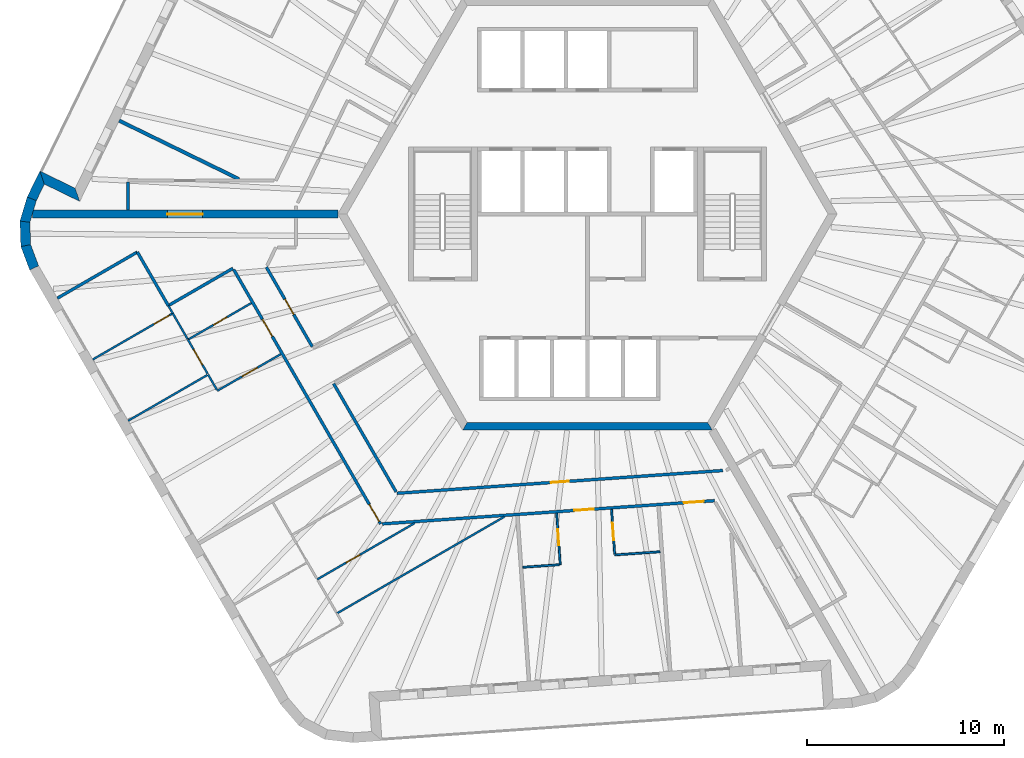
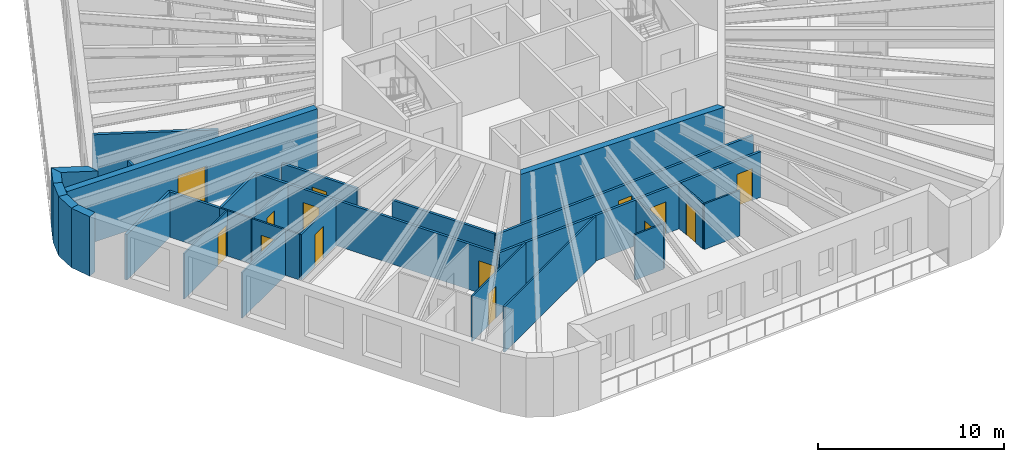
# One storey, part 4 of 12: 31 walls, 14 doors, 14 openings.
"""IFC4 building model written with IfcOpenShell, lengths in metres."""

from ifc_helpers import new_model, si_unit, direction, frame, frame_2d, origin, place, context, subcontext, project, spatial, polyline, rectangle, outline, extrude, material, layer, layer_set, type_object, element, fill, save


model = new_model("IFC4")

# Units and contexts
model_context = context("Model", 3, precision=1e-05, world=origin(), true_north=direction((0.0, 1.0)))
body_context = subcontext(model_context, "Body", "Model", "MODEL_VIEW")
ifc_project = project(units=[si_unit("LENGTHUNIT", "METRE"), si_unit("AREAUNIT", "SQUARE_METRE"), si_unit("VOLUMEUNIT", "CUBIC_METRE"), si_unit("PLANEANGLEUNIT", "RADIAN"), si_unit("MASSUNIT", "GRAM", prefix="KILO")], contexts=[model_context])

# Site, building, storey
site_placement = place(None, origin())
site = spatial("IfcSite", under=ifc_project, at=site_placement, CompositionType="ELEMENT")
building_placement = place(site_placement, origin())
building = spatial("IfcBuilding", under=site, at=building_placement, Name="Tarnside Tower", CompositionType="ELEMENT")
storey_placement = place(building_placement, frame((0.0, 0.0, 275.699951171875)))
storey = spatial("IfcBuildingStorey", under=building, at=storey_placement, Name="L66", CompositionType="ELEMENT", Elevation=275.699951171875)

# Wall, opening, door
ifc_material_1 = material(Name="Gypsum board partition on steel studs", Category="steel")
ifc_layer_1 = layer(ifc_material_1, 0.10009765625)
ifc_layer_set_1 = layer_set([ifc_layer_1], Name="Bathroom wall 100")
wall_type_1 = type_object("IfcWallType", Name="Bathroom wall 100", PredefinedType="PARTITIONING", material=ifc_layer_set_1)
wall_1_placement = place(storey_placement, frame((-17.1005859375, -4.53076171875, 0.0), z_axis=(0.0, 0.0, 1.0), x_axis=(-0.866028424924, -0.499994767197, 0.0)))
wall_1 = element("IfcWall", 1, at=wall_1_placement, inside=storey, type_object=wall_type_1, Name="Bathroom wall 21120", PredefinedType="PARTITIONING", context=body_context, shape_type="SweptSolid", body=[
    extrude(rectangle(XDim=3.72509765625, YDim=0.10009765625, at=frame_2d((1.862548828125, 0.0))), origin(), (0.0, 0.0, 1.0), 2.98779296875),
])
opening_1_placement = place(wall_1_placement, frame((1.425048828125, 0.0, 0.0)))
opening_1 = element("IfcOpeningElement", 2, at=opening_1_placement, cuts=wall_1, Name="Opening D-B1", PredefinedType="OPENING", context=body_context, shape_type="SweptSolid", body=[
    extrude(rectangle(XDim=0.800048828125, YDim=2.10009765625, at=frame_2d((0.39990234375, 1.050048828125))), frame((0.0, 0.06005859375, 0.0), z_axis=(0.0, -1.0, 0.0), x_axis=(1.0, 0.0, 0.0)), (0.0, 0.0, 1.0), 0.1201171875),
])
ifc_material_2 = material(Name="Timber door leaf", Category="wood")
door_type_1 = type_object("IfcDoorType", Name="Bathroom door 800", OperationType="NOTDEFINED", PredefinedType="DOOR", material=ifc_material_2)
door_1_placement = place(opening_1_placement, origin())
door_1 = element("IfcDoor", 3, at=door_1_placement, inside=storey, type_object=door_type_1, Name="Bathroom door 21027", OperationType="SINGLE_SWING_RIGHT", OverallHeight=2.10009765625, OverallWidth=0.800048828125, PredefinedType="DOOR", context=body_context, shape_type="SweptSolid", body=[
    extrude(rectangle(XDim=0.800048828125, YDim=2.10009765625, at=frame_2d((0.39990234375, 1.050048828125))), frame((0.0, 0.02490234375, 0.0), z_axis=(0.0, -1.0, 0.0), x_axis=(1.0, 0.0, 0.0)), (0.0, 0.0, 1.0), 0.050048828125),
])
fill(opening_1, door_1)

# Walls
wall_2_placement = place(storey_placement, frame((-21.32763671875, -4.659423828125, 0.0), z_axis=(0.0, 0.0, 1.0), x_axis=(0.500250683452, -0.865880623242, 0.0)))
element("IfcWall", 4, at=wall_2_placement, inside=storey, type_object=wall_type_1, Name="Bathroom wall 21122", PredefinedType="PARTITIONING", context=body_context, shape_type="SweptSolid", body=[
    extrude(rectangle(XDim=0.453369140625, YDim=0.10009765625, at=frame_2d((0.2265625, 0.0))), origin(), (0.0, 0.0, 1.0), 2.98779296875),
])
wall_3_placement = place(storey_placement, frame((-21.100830078125, -5.052001953125, 0.0), z_axis=(0.0, 0.0, 1.0), x_axis=(0.49997126526, -0.866041993159, 0.0)))
element("IfcWall", 5, at=wall_3_placement, inside=storey, type_object=wall_type_1, Name="Bathroom wall 21123", PredefinedType="PARTITIONING", context=body_context, shape_type="SweptSolid", body=[
    extrude(rectangle(XDim=1.50048828125, YDim=0.10009765625, at=frame_2d((0.750244140625, 0.0))), origin(), (0.0, 0.0, 1.0), 2.98779296875),
])
wall_4_placement = place(storey_placement, frame((-4.238037109375, -15.408203125, 0.0), z_axis=(0.0, 0.0, 1.0), x_axis=(-0.86602504101, -0.500000628343, 0.0)))
element("IfcWall", 6, at=wall_4_placement, inside=storey, type_object=wall_type_1, Name="Bathroom wall 21127", PredefinedType="PARTITIONING", context=body_context, shape_type="SweptSolid", body=[
    extrude(rectangle(XDim=9.82568359375, YDim=0.10009765625, at=frame_2d((4.912841796875, 0.0))), origin(), (0.0, 0.0, 1.0), 2.98779296875),
])

# Wall, opening, door
wall_5_placement = place(storey_placement, frame((-13.747314453125, -18.5888671875, 0.0), z_axis=(0.0, 0.0, 1.0), x_axis=(0.866022251081, 0.500005460603, 0.0)))
wall_5 = element("IfcWall", 7, at=wall_5_placement, inside=storey, type_object=wall_type_1, Name="Bathroom wall 21133", PredefinedType="PARTITIONING", context=body_context, shape_type="SweptSolid", body=[
    extrude(rectangle(XDim=5.72509765625, YDim=0.10009765625, at=frame_2d((2.862548828125, 0.0))), origin(), (0.0, 0.0, 1.0), 2.98779296875),
])
opening_2_placement = place(wall_5_placement, frame((1.699951171875, 0.0, 0.0)))
opening_2 = element("IfcOpeningElement", 8, at=opening_2_placement, cuts=wall_5, Name="Opening D-B1", PredefinedType="OPENING", context=body_context, shape_type="SweptSolid", body=[
    extrude(rectangle(XDim=0.800048828125, YDim=2.10009765625, at=frame_2d((0.39990234375, 1.050048828125))), frame((0.0, 0.06005859375, 0.0), z_axis=(0.0, -1.0, 0.0), x_axis=(1.0, 0.0, 0.0)), (0.0, 0.0, 1.0), 0.1201171875),
])
door_2_placement = place(opening_2_placement, origin())
door_2 = element("IfcDoor", 9, at=door_2_placement, inside=storey, type_object=door_type_1, Name="Bathroom door 21041", OperationType="SINGLE_SWING_RIGHT", OverallHeight=2.10009765625, OverallWidth=0.800048828125, PredefinedType="DOOR", context=body_context, shape_type="SweptSolid", body=[
    extrude(rectangle(XDim=0.800048828125, YDim=2.10009765625, at=frame_2d((0.39990234375, 1.050048828125))), frame((0.0, 0.02490234375, 0.0), z_axis=(0.0, -1.0, 0.0), x_axis=(1.0, 0.0, 0.0)), (0.0, 0.0, 1.0), 0.050048828125),
])
fill(opening_2, door_2)

wall_6_placement = place(storey_placement, frame((-1.566650390625, -15.221435546875, 0.0), z_axis=(0.0, 0.0, 1.0), x_axis=(0.069753235829, -0.997564276672, 0.0)))
wall_6 = element("IfcWall", 10, at=wall_6_placement, inside=storey, type_object=wall_type_1, Name="Bathroom wall 21137", PredefinedType="PARTITIONING", context=body_context, shape_type="SweptSolid", body=[
    extrude(rectangle(XDim=2.625, YDim=0.10009765625, at=frame_2d((1.3125, 0.0))), origin(), (0.0, 0.0, 1.0), 2.98779296875),
])
opening_3_placement = place(wall_6_placement, frame((0.824951171875, 0.0, 0.0)))
opening_3 = element("IfcOpeningElement", 11, at=opening_3_placement, cuts=wall_6, Name="Opening D-B1", PredefinedType="OPENING", context=body_context, shape_type="SweptSolid", body=[
    extrude(rectangle(XDim=0.800048828125, YDim=2.10009765625, at=frame_2d((0.39990234375, 1.050048828125))), frame((0.0, 0.06005859375, 0.0), z_axis=(0.0, -1.0, 0.0), x_axis=(1.0, 0.0, 0.0)), (0.0, 0.0, 1.0), 0.1201171875),
])
door_3_placement = place(opening_3_placement, origin())
door_3 = element("IfcDoor", 12, at=door_3_placement, inside=storey, type_object=door_type_1, Name="Bathroom door 21043", OperationType="SINGLE_SWING_RIGHT", OverallHeight=2.10009765625, OverallWidth=0.800048828125, PredefinedType="DOOR", context=body_context, shape_type="SweptSolid", body=[
    extrude(rectangle(XDim=0.800048828125, YDim=2.10009765625, at=frame_2d((0.39990234375, 1.050048828125))), frame((0.0, 0.02490234375, 0.0), z_axis=(0.0, -1.0, 0.0), x_axis=(1.0, 0.0, 0.0)), (0.0, 0.0, 1.0), 0.050048828125),
])
fill(opening_3, door_3)

# Walls
wall_7_placement = place(storey_placement, frame((-1.43359375, -17.843505859375, 0.0), z_axis=(0.0, 0.0, 1.0), x_axis=(-0.997568101915, -0.069698508173, 0.0)))
element("IfcWall", 13, at=wall_7_placement, inside=storey, type_object=wall_type_1, Name="Bathroom wall 21138", PredefinedType="PARTITIONING", context=body_context, shape_type="SweptSolid", body=[
    extrude(rectangle(XDim=1.860107421875, YDim=0.10009765625, at=frame_2d((0.93017578125, 0.0))), origin(), (0.0, 0.0, 1.0), 2.98779296875),
])
ifc_material_3 = material(Name="Concrete C60/75", Category="concrete")
ifc_layer_2 = layer(ifc_material_3, 0.39990234375)
ifc_layer_set_2 = layer_set([ifc_layer_2], Name="Core wall Z3 400 C60/75")
wall_type_2 = type_object("IfcWallType", Name="Core wall Z3 400 C60/75", PredefinedType="SHEAR", material=ifc_layer_set_2)
wall_8_placement = place(storey_placement, frame((-6.2353515625, -10.800048828125, -0.14990234375), z_axis=(0.0, 0.0, 1.0), x_axis=(1.0, 0.0, 0.0)))
element("IfcWall", 14, at=wall_8_placement, inside=storey, type_object=wall_type_2, Name="L66 core wall face 4", PredefinedType="SHEAR", context=body_context, shape_type="SweptSolid", body=[
    extrude(outline(polyline([(-0.115478515625, -0.199951171875), (12.586181640625, -0.199951171875), (12.355224609375, 0.199951171875), (0.115478515625, 0.199951171875), (-0.115478515625, -0.199951171875)])), origin(), (0.0, 0.0, 1.0), 3.89990234375),
])

# Wall, opening, door
wall_9_placement = place(storey_placement, frame((-12.70166015625, 0.0, -0.14990234375), z_axis=(0.0, 0.0, 1.0), x_axis=(-1.0, 0.0, 0.0)))
wall_9 = element("IfcWall", 15, at=wall_9_placement, inside=storey, type_object=wall_type_2, Name="L66 spine wall 2", PredefinedType="SHEAR", context=body_context, shape_type="SweptSolid", body=[
    extrude(rectangle(XDim=15.54443359375, YDim=0.39990234375, at=frame_2d((7.772216796875, 0.0))), origin(), (0.0, 0.0, 1.0), 3.89990234375),
])
opening_4_placement = place(wall_9_placement, frame((6.872314453125, 0.0, 0.14990234375)))
opening_4 = element("IfcOpeningElement", 16, at=opening_4_placement, cuts=wall_9, Name="Opening CD-SPN", PredefinedType="OPENING", context=body_context, shape_type="SweptSolid", body=[
    extrude(rectangle(XDim=1.800048828125, YDim=2.39990234375, at=frame_2d((0.89990234375, 1.199951171875))), frame((0.0, 0.2099609375, 0.0), z_axis=(0.0, -1.0, 0.0), x_axis=(1.0, 0.0, 0.0)), (0.0, 0.0, 1.0), 0.419921875),
])
ifc_material_4 = material(Name="Steel fire door", Category="steel")
door_type_2 = type_object("IfcDoorType", Name="Spine passage double door FD60 1800x2400", OperationType="NOTDEFINED", PredefinedType="DOOR", material=ifc_material_4)
door_4_placement = place(opening_4_placement, origin())
door_4 = element("IfcDoor", 17, at=door_4_placement, inside=storey, type_object=door_type_2, Name="L66 spine passage door 2", OperationType="DOUBLE_DOOR_SINGLE_SWING", OverallHeight=2.39990234375, OverallWidth=1.800048828125, PredefinedType="DOOR", context=body_context, shape_type="SweptSolid", body=[
    extrude(rectangle(XDim=1.800048828125, YDim=2.39990234375, at=frame_2d((0.89990234375, 1.199951171875))), frame((0.0, 0.02490234375, 0.0), z_axis=(0.0, -1.0, 0.0), x_axis=(1.0, 0.0, 0.0)), (0.0, 0.0, 1.0), 0.050048828125),
])
fill(opening_4, door_4)

# Wall
ifc_layer_3 = layer(ifc_material_1, 0.14990234375)
ifc_layer_set_3 = layer_set([ifc_layer_3], Name="Corridor wall 150 EI 60")
wall_type_3 = type_object("IfcWallType", Name="Corridor wall 150 EI 60", PredefinedType="PARTITIONING", material=ifc_layer_set_3)
wall_10_placement = place(storey_placement, frame((-23.3740234375, 1.625, 0.0), z_axis=(0.0, 0.0, 1.0), x_axis=(0.0, -1.0, 0.0)))
element("IfcWall", 18, at=wall_10_placement, inside=storey, type_object=wall_type_3, Name="Corridor wall 21019", PredefinedType="PARTITIONING", context=body_context, shape_type="SweptSolid", body=[
    extrude(rectangle(XDim=1.425048828125, YDim=0.14990234375, at=frame_2d((0.71240234375, 0.0))), origin(), (0.0, 0.0, 1.0), 2.98779296875),
])

# Wall, openings, doors
wall_11_placement = place(storey_placement, frame((-17.998291015625, -2.826171875, 0.0), z_axis=(0.0, 0.0, 1.0), x_axis=(0.500003306199, -0.866023494941, 0.0)))
wall_11 = element("IfcWall", 19, at=wall_11_placement, inside=storey, type_object=wall_type_3, Name="Corridor wall 21029", PredefinedType="PARTITIONING", context=body_context, shape_type="SweptSolid", body=[
    extrude(rectangle(XDim=14.94921875, YDim=0.14990234375, at=frame_2d((7.474609375, 0.0))), origin(), (0.0, 0.0, 1.0), 2.98779296875),
])
opening_5_placement = place(wall_11_placement, frame((2.925048828125, 0.0, 0.0)))
opening_5 = element("IfcOpeningElement", 20, at=opening_5_placement, cuts=wall_11, Name="Opening D-E1", PredefinedType="OPENING", context=body_context, shape_type="SweptSolid", body=[
    extrude(rectangle(XDim=1.0, YDim=2.10009765625, at=frame_2d((0.5, 1.050048828125))), frame((0.0, 0.0849609375, 0.0), z_axis=(0.0, -1.0, 0.0), x_axis=(1.0, 0.0, 0.0)), (0.0, 0.0, 1.0), 0.169921875),
])
opening_6_placement = place(wall_11_placement, frame((13.79931640625, 0.0, 0.0)))
opening_6 = element("IfcOpeningElement", 21, at=opening_6_placement, cuts=wall_11, Name="Opening D-E1", PredefinedType="OPENING", context=body_context, shape_type="SweptSolid", body=[
    extrude(rectangle(XDim=1.0, YDim=2.10009765625, at=frame_2d((0.5, 1.050048828125))), frame((0.0, 0.0849609375, 0.0), z_axis=(0.0, -1.0, 0.0), x_axis=(1.0, 0.0, 0.0)), (0.0, 0.0, 1.0), 0.169921875),
])
door_type_3 = type_object("IfcDoorType", Name="Unit entrance door 1000 FD30S", OperationType="NOTDEFINED", PredefinedType="DOOR", material=ifc_material_2)
door_5_placement = place(opening_5_placement, origin())
door_5 = element("IfcDoor", 22, at=door_5_placement, inside=storey, type_object=door_type_3, Name="Unit door 21026", OperationType="SINGLE_SWING_RIGHT", OverallHeight=2.10009765625, OverallWidth=1.0, PredefinedType="DOOR", context=body_context, shape_type="SweptSolid", body=[
    extrude(rectangle(XDim=1.0, YDim=2.10009765625, at=frame_2d((0.5, 1.050048828125))), frame((0.0, 0.02490234375, 0.0), z_axis=(0.0, -1.0, 0.0), x_axis=(1.0, 0.0, 0.0)), (0.0, 0.0, 1.0), 0.050048828125),
])
fill(opening_5, door_5)
door_6_placement = place(opening_6_placement, origin())
door_6 = element("IfcDoor", 23, at=door_6_placement, inside=storey, type_object=door_type_3, Name="Unit door 21033", OperationType="SINGLE_SWING_LEFT", OverallHeight=2.10009765625, OverallWidth=1.0, PredefinedType="DOOR", context=body_context, shape_type="SweptSolid", body=[
    extrude(rectangle(XDim=1.0, YDim=2.10009765625, at=frame_2d((0.5, 1.050048828125))), frame((0.0, 0.02490234375, 0.0), z_axis=(0.0, -1.0, 0.0), x_axis=(1.0, 0.0, 0.0)), (0.0, 0.0, 1.0), 0.050048828125),
])
fill(opening_6, door_6)

# Walls
wall_12_placement = place(storey_placement, frame((-21.32666015625, -4.6611328125, 0.0), z_axis=(0.0, 0.0, 1.0), x_axis=(0.866044365799, 0.499967155389, 0.0)))
element("IfcWall", 24, at=wall_12_placement, inside=storey, type_object=wall_type_3, Name="Corridor wall 21031", PredefinedType="PARTITIONING", context=body_context, shape_type="SweptSolid", body=[
    extrude(rectangle(XDim=3.800048828125, YDim=0.14990234375, at=frame_2d((1.89990234375, 0.0))), origin(), (0.0, 0.0, 1.0), 2.98779296875),
])
wall_13_placement = place(storey_placement, frame((-26.97119140625, -4.284423828125, 0.0), z_axis=(0.0, 0.0, 1.0), x_axis=(0.866018584967, 0.500011810352, 0.0)))
element("IfcWall", 25, at=wall_13_placement, inside=storey, type_object=wall_type_3, Name="Corridor wall 21033", PredefinedType="PARTITIONING", context=body_context, shape_type="SweptSolid", body=[
    extrude(rectangle(XDim=4.69873046875, YDim=0.14990234375, at=frame_2d((2.349365234375, 0.0))), origin(), (0.0, 0.0, 1.0), 2.98779296875),
])
wall_14_placement = place(storey_placement, frame((-22.900390625, -1.935546875, 0.0), z_axis=(0.0, 0.0, 1.0), x_axis=(0.50003099832, -0.866007506156, 0.0)))
element("IfcWall", 26, at=wall_14_placement, inside=storey, type_object=wall_type_3, Name="Corridor wall 21034", PredefinedType="PARTITIONING", context=body_context, shape_type="SweptSolid", body=[
    extrude(rectangle(XDim=3.150634765625, YDim=0.14990234375, at=frame_2d((1.5751953125, 0.0))), origin(), (0.0, 0.0, 1.0), 2.98779296875),
])

# Wall, openings, doors
wall_15_placement = place(storey_placement, frame((-10.4404296875, -15.7666015625, 0.0), z_axis=(0.0, 0.0, 1.0), x_axis=(0.997565037323, 0.069742356651, 0.0)))
wall_15 = element("IfcWall", 27, at=wall_15_placement, inside=storey, type_object=wall_type_3, Name="Corridor wall 21035", PredefinedType="PARTITIONING", context=body_context, shape_type="SweptSolid", body=[
    extrude(rectangle(XDim=16.939453125, YDim=0.14990234375, at=frame_2d((8.4697265625, 0.0))), origin(), (0.0, 0.0, 1.0), 2.98779296875),
])
opening_7_placement = place(wall_15_placement, frame((9.7900390625, 0.0, 0.0)))
opening_7 = element("IfcOpeningElement", 28, at=opening_7_placement, cuts=wall_15, Name="Opening D-E1", PredefinedType="OPENING", context=body_context, shape_type="SweptSolid", body=[
    extrude(rectangle(XDim=1.0, YDim=2.10009765625, at=frame_2d((0.5, 1.050048828125))), frame((0.0, 0.0849609375, 0.0), z_axis=(0.0, -1.0, 0.0), x_axis=(1.0, 0.0, 0.0)), (0.0, 0.0, 1.0), 0.169921875),
])
opening_8_placement = place(wall_15_placement, frame((15.39013671875, 0.0, 0.0)))
opening_8 = element("IfcOpeningElement", 29, at=opening_8_placement, cuts=wall_15, Name="Opening D-E1", PredefinedType="OPENING", context=body_context, shape_type="SweptSolid", body=[
    extrude(rectangle(XDim=1.0, YDim=2.10009765625, at=frame_2d((0.5, 1.050048828125))), frame((0.0, 0.0849609375, 0.0), z_axis=(0.0, -1.0, 0.0), x_axis=(1.0, 0.0, 0.0)), (0.0, 0.0, 1.0), 0.169921875),
])
door_7_placement = place(opening_7_placement, origin())
door_7 = element("IfcDoor", 30, at=door_7_placement, inside=storey, type_object=door_type_3, Name="Unit door 21042", OperationType="SINGLE_SWING_RIGHT", OverallHeight=2.10009765625, OverallWidth=1.0, PredefinedType="DOOR", context=body_context, shape_type="SweptSolid", body=[
    extrude(rectangle(XDim=1.0, YDim=2.10009765625, at=frame_2d((0.5, 1.050048828125))), frame((0.0, 0.02490234375, 0.0), z_axis=(0.0, -1.0, 0.0), x_axis=(1.0, 0.0, 0.0)), (0.0, 0.0, 1.0), 0.050048828125),
])
fill(opening_7, door_7)
door_8_placement = place(opening_8_placement, origin())
door_8 = element("IfcDoor", 31, at=door_8_placement, inside=storey, type_object=door_type_3, Name="Unit door 21045", OperationType="SINGLE_SWING_LEFT", OverallHeight=2.10009765625, OverallWidth=1.0, PredefinedType="DOOR", context=body_context, shape_type="SweptSolid", body=[
    extrude(rectangle(XDim=1.0, YDim=2.10009765625, at=frame_2d((0.5, 1.050048828125))), frame((0.0, 0.02490234375, 0.0), z_axis=(0.0, -1.0, 0.0), x_axis=(1.0, 0.0, 0.0)), (0.0, 0.0, 1.0), 0.050048828125),
])
fill(opening_8, door_8)

# Wall, opening, door
wall_16_placement = place(storey_placement, frame((-14.000244140625, -6.750732421875, 0.0), z_axis=(0.0, 0.0, 1.0), x_axis=(-0.500008739126, 0.866020358189, 0.0)))
wall_16 = element("IfcWall", 32, at=wall_16_placement, inside=storey, type_object=wall_type_3, Name="Corridor wall 21048", PredefinedType="PARTITIONING", context=body_context, shape_type="SweptSolid", body=[
    extrude(rectangle(XDim=4.67529296875, YDim=0.14990234375, at=frame_2d((2.337646484375, 0.0))), origin(), (0.0, 0.0, 1.0), 2.98779296875),
])
opening_9_placement = place(wall_16_placement, frame((1.8876953125, 0.0, 0.0)))
opening_9 = element("IfcOpeningElement", 33, at=opening_9_placement, cuts=wall_16, Name="Opening D-S1", PredefinedType="OPENING", context=body_context, shape_type="SweptSolid", body=[
    extrude(rectangle(XDim=0.89990234375, YDim=2.10009765625, at=frame_2d((0.449951171875, 1.050048828125))), frame((0.0, 0.0849609375, 0.0), z_axis=(0.0, -1.0, 0.0), x_axis=(1.0, 0.0, 0.0)), (0.0, 0.0, 1.0), 0.169921875),
])
door_type_4 = type_object("IfcDoorType", Name="Service room door 900 FD30S", OperationType="NOTDEFINED", PredefinedType="DOOR", material=ifc_material_2)
door_9_placement = place(opening_9_placement, origin())
door_9 = element("IfcDoor", 34, at=door_9_placement, inside=storey, type_object=door_type_4, Name="Service door 21071", OperationType="SINGLE_SWING_RIGHT", OverallHeight=2.10009765625, OverallWidth=0.89990234375, PredefinedType="DOOR", context=body_context, shape_type="SweptSolid", body=[
    extrude(rectangle(XDim=0.89990234375, YDim=2.10009765625, at=frame_2d((0.449951171875, 1.050048828125))), frame((0.0, 0.02490234375, 0.0), z_axis=(0.0, -1.0, 0.0), x_axis=(1.0, 0.0, 0.0)), (0.0, 0.0, 1.0), 0.050048828125),
])
fill(opening_9, door_9)

wall_17_placement = place(storey_placement, frame((6.88427734375, -13.051513671875, 0.0), z_axis=(0.0, 0.0, 1.0), x_axis=(-0.997564224443, -0.069753982764, 0.0)))
wall_17 = element("IfcWall", 35, at=wall_17_placement, inside=storey, type_object=wall_type_3, Name="Corridor wall 21053", PredefinedType="PARTITIONING", context=body_context, shape_type="SweptSolid", body=[
    extrude(rectangle(XDim=16.6181640625, YDim=0.14990234375, at=frame_2d((8.30908203125, 0.0))), origin(), (0.0, 0.0, 1.0), 2.98779296875),
])
opening_10_placement = place(wall_17_placement, frame((7.85888671875, 0.0, 0.0)))
opening_10 = element("IfcOpeningElement", 36, at=opening_10_placement, cuts=wall_17, Name="Opening D-S1", PredefinedType="OPENING", context=body_context, shape_type="SweptSolid", body=[
    extrude(rectangle(XDim=0.89990234375, YDim=2.10009765625, at=frame_2d((0.449951171875, 1.050048828125))), frame((0.0, 0.0849609375, 0.0), z_axis=(0.0, -1.0, 0.0), x_axis=(1.0, 0.0, 0.0)), (0.0, 0.0, 1.0), 0.169921875),
])
door_10_placement = place(opening_10_placement, origin())
door_10 = element("IfcDoor", 37, at=door_10_placement, inside=storey, type_object=door_type_4, Name="Service door 21072", OperationType="SINGLE_SWING_RIGHT", OverallHeight=2.10009765625, OverallWidth=0.89990234375, PredefinedType="DOOR", context=body_context, shape_type="SweptSolid", body=[
    extrude(rectangle(XDim=0.89990234375, YDim=2.10009765625, at=frame_2d((0.449951171875, 1.050048828125))), frame((0.0, 0.02490234375, 0.0), z_axis=(0.0, -1.0, 0.0), x_axis=(1.0, 0.0, 0.0)), (0.0, 0.0, 1.0), 0.050048828125),
])
fill(opening_10, door_10)

# Walls
wall_18_placement = place(storey_placement, frame((-9.73486328125, -14.138427734375, 0.0), z_axis=(0.0, 0.0, 1.0), x_axis=(-0.500018385592, 0.866014788598, 0.0)))
element("IfcWall", 38, at=wall_18_placement, inside=storey, type_object=wall_type_3, Name="Corridor wall 21054", PredefinedType="PARTITIONING", context=body_context, shape_type="SweptSolid", body=[
    extrude(rectangle(XDim=6.355712890625, YDim=0.14990234375, at=frame_2d((3.177734375, 0.0))), origin(), (0.0, 0.0, 1.0), 2.98779296875),
])
ifc_layer_4 = layer(ifc_material_1, 0.179931640625)
ifc_layer_set_4 = layer_set([ifc_layer_4], Name="Demising wall 180 EI 60")
wall_type_4 = type_object("IfcWallType", Name="Demising wall 180 EI 60", PredefinedType="PARTITIONING", material=ifc_layer_set_4)
wall_19_placement = place(storey_placement, frame((-23.82861328125, 4.75146484375, 0.0), z_axis=(0.0, 0.0, 1.0), x_axis=(0.898785032636, -0.438389627056, 0.0)))
element("IfcWall", 39, at=wall_19_placement, inside=storey, type_object=wall_type_4, Name="Demising wall 21109", PredefinedType="PARTITIONING", context=body_context, shape_type="SweptSolid", body=[
    extrude(rectangle(XDim=6.789794921875, YDim=0.179931640625, at=frame_2d((3.39501953125, 0.0))), origin(), (0.0, 0.0, 1.0), 2.98779296875),
])
ifc_material_5 = material(Name="Dark zinc cladding")
ifc_layer_5 = layer(ifc_material_5, 0.10205078125)
ifc_material_6 = material(Name="Concrete C60/75 precast", Category="concrete")
ifc_layer_6 = layer(ifc_material_6, 0.298095703125)
ifc_material_7 = material(Name="Mineral wool insulation")
ifc_layer_7 = layer(ifc_material_7, 0.10009765625)
ifc_layer_set_5 = layer_set([ifc_layer_5, ifc_layer_6, ifc_layer_7], Name="Loggia wall 500 zinc faced")
wall_type_5 = type_object("IfcWallType", Name="Loggia wall 500 zinc faced", PredefinedType="SOLIDWALL", material=ifc_layer_set_5)
wall_20_placement = place(storey_placement, frame((-25.9482421875, 0.97607421875, -0.14990234375), z_axis=(0.0, 0.0, 1.0), x_axis=(-0.898802465371, 0.438353884714, 0.0)))
element("IfcWall", 40, at=wall_20_placement, inside=storey, type_object=wall_type_5, Name="Tube wall L66 F2 return 07", PredefinedType="SOLIDWALL", context=body_context, shape_type="SweptSolid", body=[
    extrude(outline(polyline([(0.25, -0.25), (2.25, -0.25), (1.75, 0.25), (-0.25, 0.25), (0.25, -0.25)])), origin(), (0.0, 0.0, 1.0), 3.89990234375),
])
wall_21_placement = place(storey_placement, frame((-27.745849609375, 1.852783203125, -0.14990234375), z_axis=(0.0, 0.0, 1.0), x_axis=(-0.438319390103, -0.898819287877, 0.0)))
element("IfcWall", 41, at=wall_21_placement, inside=storey, type_object=wall_type_5, Name="Tube wall L66 F2 stub 08", PredefinedType="SOLIDWALL", context=body_context, shape_type="SweptSolid", body=[
    extrude(outline(polyline([(-0.25, -0.25), (1.22021484375, -0.25), (1.17919921875, 0.25), (0.25, 0.25), (-0.25, -0.25)])), origin(), (0.0, 0.0, 1.0), 3.89990234375),
])

# Wall, opening, door
ifc_layer_8 = layer(ifc_material_1, 0.10009765625)
ifc_layer_set_6 = layer_set([ifc_layer_8], Name="Partition 100")
wall_type_6 = type_object("IfcWallType", Name="Partition 100", PredefinedType="PARTITIONING", material=ifc_layer_set_6)
wall_22_placement = place(storey_placement, frame((-15.6005859375, -7.12890625, 0.0), z_axis=(0.0, 0.0, 1.0), x_axis=(-0.866056803351, -0.499945610411, 0.0)))
wall_22 = element("IfcWall", 42, at=wall_22_placement, inside=storey, type_object=wall_type_6, Name="Partition wall 21115", PredefinedType="PARTITIONING", context=body_context, shape_type="SweptSolid", body=[
    extrude(rectangle(XDim=3.72509765625, YDim=0.10009765625, at=frame_2d((1.862548828125, 0.0))), origin(), (0.0, 0.0, 1.0), 2.98779296875),
])
opening_11_placement = place(wall_22_placement, frame((1.375, 0.0, 0.0)))
opening_11 = element("IfcOpeningElement", 43, at=opening_11_placement, cuts=wall_22, Name="Opening D-I1", PredefinedType="OPENING", context=body_context, shape_type="SweptSolid", body=[
    extrude(rectangle(XDim=0.89990234375, YDim=2.10009765625, at=frame_2d((0.449951171875, 1.050048828125))), frame((0.0, 0.06005859375, 0.0), z_axis=(0.0, -1.0, 0.0), x_axis=(1.0, 0.0, 0.0)), (0.0, 0.0, 1.0), 0.1201171875),
])
door_type_5 = type_object("IfcDoorType", Name="Internal door 900", OperationType="NOTDEFINED", PredefinedType="DOOR", material=ifc_material_2)
door_11_placement = place(opening_11_placement, origin())
door_11 = element("IfcDoor", 44, at=door_11_placement, inside=storey, type_object=door_type_5, Name="Internal door 21028", OperationType="SINGLE_SWING_RIGHT", OverallHeight=2.10009765625, OverallWidth=0.89990234375, PredefinedType="DOOR", context=body_context, shape_type="SweptSolid", body=[
    extrude(rectangle(XDim=0.89990234375, YDim=2.10009765625, at=frame_2d((0.449951171875, 1.050048828125))), frame((0.0, 0.02490234375, 0.0), z_axis=(0.0, -1.0, 0.0), x_axis=(1.0, 0.0, 0.0)), (0.0, 0.0, 1.0), 0.050048828125),
])
fill(opening_11, door_11)

# Walls
wall_23_placement = place(storey_placement, frame((-18.8515625, -8.947998046875, 0.0), z_axis=(0.0, 0.0, 1.0), x_axis=(-0.500074377092, 0.865982457891, 0.0)))
element("IfcWall", 45, at=wall_23_placement, inside=storey, type_object=wall_type_6, Name="Partition wall 21116", PredefinedType="PARTITIONING", context=body_context, shape_type="SweptSolid", body=[
    extrude(rectangle(XDim=0.900634765625, YDim=0.10009765625, at=frame_2d((0.4501953125, 0.0))), origin(), (0.0, 0.0, 1.0), 2.98779296875),
])
wall_24_placement = place(storey_placement, frame((-19.34423828125, -8.19482421875, 0.0), z_axis=(0.0, 0.0, 1.0), x_axis=(-0.866034331223, -0.499984536904, 0.0)))
element("IfcWall", 46, at=wall_24_placement, inside=storey, type_object=wall_type_6, Name="Partition wall 21117", PredefinedType="PARTITIONING", context=body_context, shape_type="SweptSolid", body=[
    extrude(rectangle(XDim=4.650146484375, YDim=0.10009765625, at=frame_2d((2.3251953125, 0.0))), origin(), (0.0, 0.0, 1.0), 2.98779296875),
])

# Wall, opening, door
wall_25_placement = place(storey_placement, frame((-20.32763671875, -6.3916015625, 0.0), z_axis=(0.0, 0.0, 1.0), x_axis=(0.500031897912, -0.866006986733, 0.0)))
wall_25 = element("IfcWall", 47, at=wall_25_placement, inside=storey, type_object=wall_type_6, Name="Partition wall 21121", PredefinedType="PARTITIONING", context=body_context, shape_type="SweptSolid", body=[
    extrude(rectangle(XDim=2.003173828125, YDim=0.10009765625, at=frame_2d((1.00146484375, 0.0))), origin(), (0.0, 0.0, 1.0), 2.98779296875),
])
opening_12_placement = place(wall_25_placement, frame((0.57763671875, 0.0, 0.0)))
opening_12 = element("IfcOpeningElement", 48, at=opening_12_placement, cuts=wall_25, Name="Opening D-I1", PredefinedType="OPENING", context=body_context, shape_type="SweptSolid", body=[
    extrude(rectangle(XDim=0.89990234375, YDim=2.10009765625, at=frame_2d((0.449951171875, 1.050048828125))), frame((0.0, 0.06005859375, 0.0), z_axis=(0.0, -1.0, 0.0), x_axis=(1.0, 0.0, 0.0)), (0.0, 0.0, 1.0), 0.1201171875),
])
door_12_placement = place(opening_12_placement, origin())
door_12 = element("IfcDoor", 49, at=door_12_placement, inside=storey, type_object=door_type_5, Name="Internal door 21032", OperationType="SINGLE_SWING_LEFT", OverallHeight=2.10009765625, OverallWidth=0.89990234375, PredefinedType="DOOR", context=body_context, shape_type="SweptSolid", body=[
    extrude(rectangle(XDim=0.89990234375, YDim=2.10009765625, at=frame_2d((0.449951171875, 1.050048828125))), frame((0.0, 0.02490234375, 0.0), z_axis=(0.0, -1.0, 0.0), x_axis=(1.0, 0.0, 0.0)), (0.0, 0.0, 1.0), 0.050048828125),
])
fill(opening_12, door_12)

wall_26_placement = place(storey_placement, frame((-25.171142578125, -7.402099609375, 0.0), z_axis=(0.0, 0.0, 1.0), x_axis=(0.86602120543, 0.500007271693, 0.0)))
wall_26 = element("IfcWall", 50, at=wall_26_placement, inside=storey, type_object=wall_type_6, Name="Partition wall 21124", PredefinedType="PARTITIONING", context=body_context, shape_type="SweptSolid", body=[
    extrude(rectangle(XDim=4.64990234375, YDim=0.10009765625, at=frame_2d((2.324951171875, 0.0))), origin(), (0.0, 0.0, 1.0), 2.98779296875),
])
opening_13_placement = place(wall_26_placement, frame((3.60009765625, 0.0, 0.0)))
opening_13 = element("IfcOpeningElement", 51, at=opening_13_placement, cuts=wall_26, Name="Opening D-I1", PredefinedType="OPENING", context=body_context, shape_type="SweptSolid", body=[
    extrude(rectangle(XDim=0.89990234375, YDim=2.10009765625, at=frame_2d((0.449951171875, 1.050048828125))), frame((0.0, 0.06005859375, 0.0), z_axis=(0.0, -1.0, 0.0), x_axis=(1.0, 0.0, 0.0)), (0.0, 0.0, 1.0), 0.1201171875),
])
door_13_placement = place(opening_13_placement, origin())
door_13 = element("IfcDoor", 52, at=door_13_placement, inside=storey, type_object=door_type_5, Name="Internal door 21031", OperationType="SINGLE_SWING_RIGHT", OverallHeight=2.10009765625, OverallWidth=0.89990234375, PredefinedType="DOOR", context=body_context, shape_type="SweptSolid", body=[
    extrude(rectangle(XDim=0.89990234375, YDim=2.10009765625, at=frame_2d((0.449951171875, 1.050048828125))), frame((0.0, 0.02490234375, 0.0), z_axis=(0.0, -1.0, 0.0), x_axis=(1.0, 0.0, 0.0)), (0.0, 0.0, 1.0), 0.050048828125),
])
fill(opening_13, door_13)

# Wall
wall_27_placement = place(storey_placement, frame((3.69287109375, -17.184326171875, 0.0), z_axis=(0.0, 0.0, 1.0), x_axis=(-0.997563824095, -0.069759707979, 0.0)))
element("IfcWall", 53, at=wall_27_placement, inside=storey, type_object=wall_type_6, Name="Partition wall 21139", PredefinedType="PARTITIONING", context=body_context, shape_type="SweptSolid", body=[
    extrude(rectangle(XDim=2.309814453125, YDim=0.10009765625, at=frame_2d((1.15478515625, 0.0))), origin(), (0.0, 0.0, 1.0), 2.98779296875),
])

# Wall, opening, door
wall_28_placement = place(storey_placement, frame((1.385009765625, -17.29541015625, 0.0), z_axis=(0.0, 0.0, 1.0), x_axis=(-0.069759707979, 0.997563824095, 0.0)))
wall_28 = element("IfcWall", 54, at=wall_28_placement, inside=storey, type_object=wall_type_6, Name="Partition wall 21140", PredefinedType="PARTITIONING", context=body_context, shape_type="SweptSolid", body=[
    extrude(rectangle(XDim=2.27490234375, YDim=0.10009765625, at=frame_2d((1.137451171875, 0.0))), origin(), (0.0, 0.0, 1.0), 2.98779296875),
])
opening_14_placement = place(wall_28_placement, frame((0.699951171875, 0.0, 0.0)))
opening_14 = element("IfcOpeningElement", 55, at=opening_14_placement, cuts=wall_28, Name="Opening D-I1", PredefinedType="OPENING", context=body_context, shape_type="SweptSolid", body=[
    extrude(rectangle(XDim=0.89990234375, YDim=2.10009765625, at=frame_2d((0.449951171875, 1.050048828125))), frame((0.0, 0.06005859375, 0.0), z_axis=(0.0, -1.0, 0.0), x_axis=(1.0, 0.0, 0.0)), (0.0, 0.0, 1.0), 0.1201171875),
])
door_14_placement = place(opening_14_placement, origin())
door_14 = element("IfcDoor", 56, at=door_14_placement, inside=storey, type_object=door_type_5, Name="Internal door 21044", OperationType="SINGLE_SWING_RIGHT", OverallHeight=2.10009765625, OverallWidth=0.89990234375, PredefinedType="DOOR", context=body_context, shape_type="SweptSolid", body=[
    extrude(rectangle(XDim=0.89990234375, YDim=2.10009765625, at=frame_2d((0.449951171875, 1.050048828125))), frame((0.0, 0.02490234375, 0.0), z_axis=(0.0, -1.0, 0.0), x_axis=(1.0, 0.0, 0.0)), (0.0, 0.0, 1.0), 0.050048828125),
])
fill(opening_14, door_14)

# Walls
ifc_material_8 = material(Name="Facing brick", Category="masonry")
ifc_layer_9 = layer(ifc_material_8, 0.10205078125)
ifc_layer_10 = layer(ifc_material_6, 0.298095703125)
ifc_layer_11 = layer(ifc_material_7, 0.10009765625)
ifc_layer_set_7 = layer_set([ifc_layer_9, ifc_layer_10, ifc_layer_11], Name="Tube wall 500 brick faced")
wall_type_7 = type_object("IfcWallType", Name="Tube wall 500 brick faced", PredefinedType="SOLIDWALL", material=ifc_layer_set_7)
wall_29_placement = place(storey_placement, frame((-28.271728515625, 0.7744140625, -0.14990234375), z_axis=(0.0, 0.0, 1.0), x_axis=(-0.286813843218, -0.957986335674, 0.0)))
element("IfcWall", 57, at=wall_29_placement, inside=storey, type_object=wall_type_7, Name="Tube wall L66 F2 chord 09", PredefinedType="SOLIDWALL", context=body_context, shape_type="SweptSolid", body=[
    extrude(outline(polyline([(-0.0205078125, -0.25), (1.25732421875, -0.25), (1.17529296875, 0.25), (0.0205078125, 0.25), (-0.0205078125, -0.25)])), origin(), (0.0, 0.0, 1.0), 3.89990234375),
])
wall_30_placement = place(storey_placement, frame((-28.62060546875, -0.390869140625, -0.14990234375), z_axis=(0.0, 0.0, 1.0), x_axis=(0.034925456137, -0.999389920158, 0.0)))
element("IfcWall", 58, at=wall_30_placement, inside=storey, type_object=wall_type_7, Name="Tube wall L66 F2 chord 10", PredefinedType="SOLIDWALL", context=body_context, shape_type="SweptSolid", body=[
    extrude(outline(polyline([(-0.041015625, -0.25), (1.25732421875, -0.25), (1.17529296875, 0.25), (0.041015625, 0.25), (-0.041015625, -0.25)])), origin(), (0.0, 0.0, 1.0), 3.89990234375),
])
wall_31_placement = place(storey_placement, frame((-28.578125, -1.6064453125, -0.14990234375), z_axis=(0.0, 0.0, 1.0), x_axis=(0.352838463023, -0.935684251771, 0.0)))
element("IfcWall", 59, at=wall_31_placement, inside=storey, type_object=wall_type_7, Name="Tube wall L66 F2 chord 11", PredefinedType="SOLIDWALL", context=body_context, shape_type="SweptSolid", body=[
    extrude(outline(polyline([(-0.041015625, -0.25), (1.23681640625, -0.25), (1.19580078125, 0.25), (0.041015625, 0.25), (-0.041015625, -0.25)])), origin(), (0.0, 0.0, 1.0), 3.89990234375),
])

save(model, "model.ifc")
